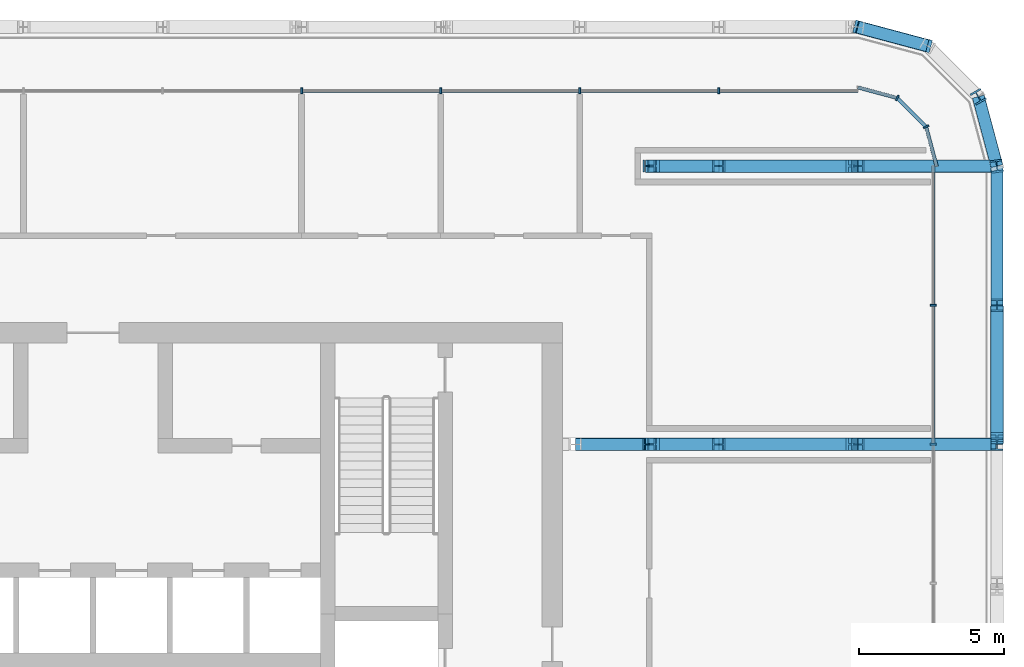
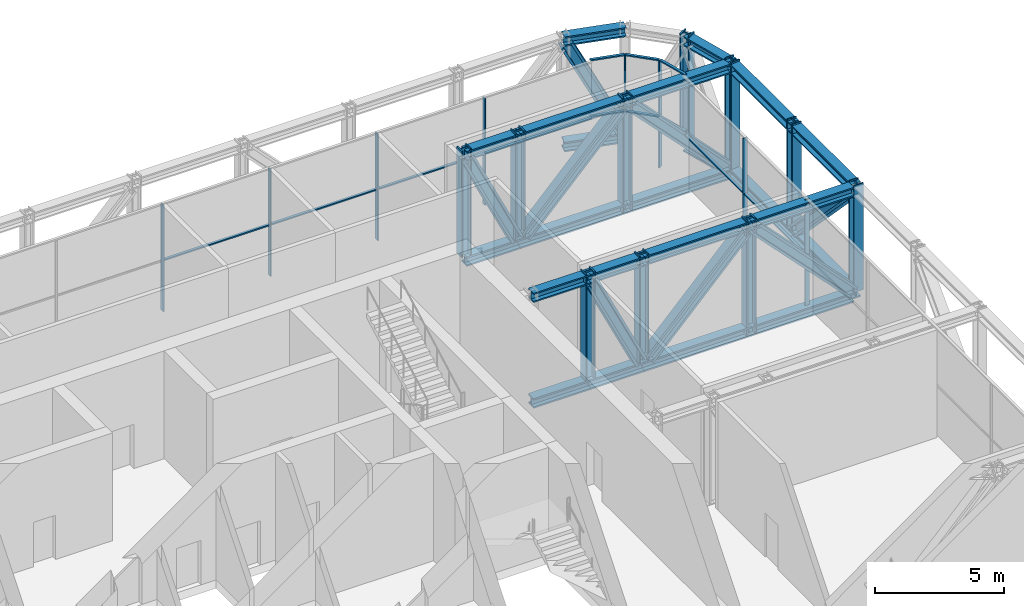
# One storey, part 16 of 30: 60 members, 3 elements without a shape of their own.
"""IFC4 building model written with IfcOpenShell, lengths in metres."""

from ifc_helpers import new_model, si_unit, direction, frame, origin, origin_2d, place, context, subcontext, project, spatial, rectangle, i_section, extrude, material, layer, layer_set, material_profile, profile_set, type_object, element, aggregate, save


model = new_model("IFC4")

# Units and contexts
model_context = context("Model", 3, precision=1e-05, world=origin(), true_north=direction((0.0, 1.0)))
body_context = subcontext(model_context, "Body", "Model", "MODEL_VIEW")
ifc_project = project(units=[si_unit("LENGTHUNIT", "METRE"), si_unit("AREAUNIT", "SQUARE_METRE"), si_unit("VOLUMEUNIT", "CUBIC_METRE"), si_unit("PLANEANGLEUNIT", "RADIAN"), si_unit("MASSUNIT", "GRAM", prefix="KILO")], contexts=[model_context])

# Site, building, storey
site_placement = place(None, origin())
site = spatial("IfcSite", under=ifc_project, at=site_placement, CompositionType="ELEMENT")
building_placement = place(site_placement, origin())
building = spatial("IfcBuilding", under=site, at=building_placement, Name="Madar Terraces", CompositionType="ELEMENT")
storey_placement = place(building_placement, frame((0.0, 0.0, 173.5)))
storey = spatial("IfcBuildingStorey", under=building, at=storey_placement, Name="L45", CompositionType="ELEMENT", Elevation=173.5)

# Members
ifc_material_1 = material(Name="Steel ASTM A913 Grade 65", Category="steel")
ifc_material_profile_1 = material_profile(ifc_material_1, i_section(OverallWidth=0.421630859375, OverallDepth=0.46484375, WebThickness=0.044921875, FlangeThickness=0.072509765625, at=origin_2d()), Name="W14x398")
ifc_profile_set_1 = profile_set([ifc_material_profile_1], Name="Steel ASTM A913 Grade 65")
member_type_1 = type_object("IfcMemberType", Name="BC6 W14x398", PredefinedType="CHORD", material=ifc_profile_set_1)
member_1_placement = place(storey_placement, frame((62.39990234375, 33.60009765625, -0.1875), z_axis=(0.0, 1.0, 0.0), x_axis=(-1.0, 0.0, 0.0)))
element("IfcMember", 1, at=member_1_placement, inside=storey, type_object=member_type_1, Name="Exoskeleton truss ring bottom chord BC6", PredefinedType="CHORD", context=body_context, shape_type="SweptSolid", body=[
    extrude(i_section(OverallWidth=0.421630859375, OverallDepth=0.46484375, WebThickness=0.044921875, FlangeThickness=0.072509765625, at=origin_2d()), origin(), (0.0, 0.0, 1.0), 4.7998046875),
])
member_2_placement = place(storey_placement, frame((62.39990234375, 38.39990234375, -0.1875), z_axis=(0.0, 1.0, 0.0), x_axis=(-1.0, 0.0, 0.0)))
element("IfcMember", 2, at=member_2_placement, inside=storey, type_object=member_type_1, Name="Exoskeleton truss ring bottom chord BC6", PredefinedType="CHORD", context=body_context, shape_type="SweptSolid", body=[
    extrude(i_section(OverallWidth=0.421630859375, OverallDepth=0.46484375, WebThickness=0.044921875, FlangeThickness=0.072509765625, at=origin_2d()), origin(), (0.0, 0.0, 1.0), 4.800048828125),
])
member_3_placement = place(storey_placement, frame((62.39990234375, 43.199951171875, -0.1875), z_axis=(-0.258799930484, 0.965930947833, 0.0), x_axis=(-0.965930947833, -0.258799930484, 0.0)))
element("IfcMember", 3, at=member_3_placement, inside=storey, type_object=member_type_1, Name="Exoskeleton truss ring bottom chord BC6", PredefinedType="CHORD", context=body_context, shape_type="SweptSolid", body=[
    extrude(i_section(OverallWidth=0.421630859375, OverallDepth=0.46484375, WebThickness=0.044921875, FlangeThickness=0.072509765625, at=origin_2d()), origin(), (0.0, 0.0, 1.0), 2.48486328125),
])
member_4_placement = place(storey_placement, frame((60.0, 47.35693359375, -0.1875), z_axis=(-0.965924366126, 0.258824494443, 0.0), x_axis=(-0.258824494443, -0.965924366126, 0.0)))
element("IfcMember", 4, at=member_4_placement, inside=storey, type_object=member_type_1, Name="Exoskeleton truss ring bottom chord BC6", PredefinedType="CHORD", context=body_context, shape_type="SweptSolid", body=[
    extrude(i_section(OverallWidth=0.421630859375, OverallDepth=0.46484375, WebThickness=0.044921875, FlangeThickness=0.072509765625, at=origin_2d()), origin(), (0.0, 0.0, 1.0), 2.484619140625),
])
member_5_placement = place(storey_placement, frame((62.189208984375, 33.60009765625, -0.1875), z_axis=(-1.0, 0.0, 0.0), x_axis=(0.0, -1.0, 0.0)))
element("IfcMember", 5, at=member_5_placement, inside=storey, type_object=member_type_1, Name="Exoskeleton truss cross E33.6 bottom chord BC6", PredefinedType="CHORD", context=body_context, shape_type="SweptSolid", body=[
    extrude(i_section(OverallWidth=0.421630859375, OverallDepth=0.46484375, WebThickness=0.044921875, FlangeThickness=0.072509765625, at=origin_2d()), origin(), (0.0, 0.0, 1.0), 4.589111328125),
])
member_6_placement = place(storey_placement, frame((57.60009765625, 33.60009765625, -0.1875), z_axis=(-1.0, 0.0, 0.0), x_axis=(0.0, -1.0, 0.0)))
element("IfcMember", 6, at=member_6_placement, inside=storey, type_object=member_type_1, Name="Exoskeleton truss cross E33.6 bottom chord BC6", PredefinedType="CHORD", context=body_context, shape_type="SweptSolid", body=[
    extrude(i_section(OverallWidth=0.421630859375, OverallDepth=0.46484375, WebThickness=0.044921875, FlangeThickness=0.072509765625, at=origin_2d()), origin(), (0.0, 0.0, 1.0), 4.800048828125),
])
member_7_placement = place(storey_placement, frame((52.800048828125, 33.60009765625, -0.1875), z_axis=(-1.0, 0.0, 0.0), x_axis=(0.0, -1.0, 0.0)))
element("IfcMember", 7, at=member_7_placement, inside=storey, type_object=member_type_1, Name="Exoskeleton truss cross E33.6 bottom chord BC6", PredefinedType="CHORD", context=body_context, shape_type="SweptSolid", body=[
    extrude(i_section(OverallWidth=0.421630859375, OverallDepth=0.46484375, WebThickness=0.044921875, FlangeThickness=0.072509765625, at=origin_2d()), origin(), (0.0, 0.0, 1.0), 2.400146484375),
])
member_8_placement = place(storey_placement, frame((50.39990234375, 33.60009765625, -0.1875), z_axis=(-1.0, 0.0, 0.0), x_axis=(0.0, -1.0, 0.0)))
element("IfcMember", 8, at=member_8_placement, inside=storey, type_object=member_type_1, Name="Exoskeleton truss cross E33.6 bottom chord BC6", PredefinedType="CHORD", context=body_context, shape_type="SweptSolid", body=[
    extrude(i_section(OverallWidth=0.421630859375, OverallDepth=0.46484375, WebThickness=0.044921875, FlangeThickness=0.072509765625, at=origin_2d()), origin(), (0.0, 0.0, 1.0), 2.5498046875),
])
member_9_placement = place(storey_placement, frame((62.189208984375, 43.199951171875, -0.1875), z_axis=(-1.0, 0.0, 0.0), x_axis=(0.0, -1.0, 0.0)))
element("IfcMember", 9, at=member_9_placement, inside=storey, type_object=member_type_1, Name="Exoskeleton truss cross E43.2 bottom chord BC6", PredefinedType="CHORD", context=body_context, shape_type="SweptSolid", body=[
    extrude(i_section(OverallWidth=0.421630859375, OverallDepth=0.46484375, WebThickness=0.044921875, FlangeThickness=0.072509765625, at=origin_2d()), origin(), (0.0, 0.0, 1.0), 4.589111328125),
])
member_10_placement = place(storey_placement, frame((57.60009765625, 43.199951171875, -0.1875), z_axis=(-1.0, 0.0, 0.0), x_axis=(0.0, -1.0, 0.0)))
element("IfcMember", 10, at=member_10_placement, inside=storey, type_object=member_type_1, Name="Exoskeleton truss cross E43.2 bottom chord BC6", PredefinedType="CHORD", context=body_context, shape_type="SweptSolid", body=[
    extrude(i_section(OverallWidth=0.421630859375, OverallDepth=0.46484375, WebThickness=0.044921875, FlangeThickness=0.072509765625, at=origin_2d()), origin(), (0.0, 0.0, 1.0), 4.800048828125),
])
member_11_placement = place(storey_placement, frame((52.800048828125, 43.199951171875, -0.1875), z_axis=(-1.0, 0.0, 0.0), x_axis=(0.0, -1.0, 0.0)))
element("IfcMember", 11, at=member_11_placement, inside=storey, type_object=member_type_1, Name="Exoskeleton truss cross E43.2 bottom chord BC6", PredefinedType="CHORD", context=body_context, shape_type="SweptSolid", body=[
    extrude(i_section(OverallWidth=0.421630859375, OverallDepth=0.46484375, WebThickness=0.044921875, FlangeThickness=0.072509765625, at=origin_2d()), origin(), (0.0, 0.0, 1.0), 2.400146484375),
])

# Curtain wall, members
ifc_material_2 = material(Name="Glass, ceramic frit dark grey, with black aluminium frame", Category="aluminium")
ifc_layer = layer(ifc_material_2, 0.199951171875)
ifc_layer_set = layer_set([ifc_layer], Name="Facade curtain wall, tall glazing")
curtain_wall_type = type_object("IfcCurtainWallType", Name="Facade curtain wall, tall glazing", PredefinedType="NOTDEFINED", material=ifc_layer_set)
curtain_wall_1_placement = place(storey_placement, origin())
curtain_wall_1 = element("IfcCurtainWall", 12, at=curtain_wall_1_placement, inside=storey, type_object=curtain_wall_type, Name="Outer skin curtain wall east bay 1", PredefinedType="NOTDEFINED")
ifc_material_3 = material(Name="Aluminium, black anodised", Category="aluminium")
ifc_material_profile_2 = material_profile(ifc_material_3, rectangle(XDim=0.199951171875, YDim=0.06005859375, at=origin_2d()), Name="Facade mullion 60x200")
ifc_profile_set_2 = profile_set([ifc_material_profile_2], Name="Aluminium, black anodised")
member_type_2 = type_object("IfcMemberType", Name="Facade mullion 60x200", PredefinedType="MULLION", material=ifc_profile_set_2)
member_12_placement = place(storey_placement, frame((60.199951171875, 33.60009765625, 0.0), z_axis=(0.0, 0.0, 1.0), x_axis=(-1.0, 0.0, 0.0)))
member_12 = element("IfcMember", 13, at=member_12_placement, type_object=member_type_2, Name="Mullion 6", PredefinedType="MULLION", context=body_context, shape_type="SweptSolid", body=[
    extrude(rectangle(XDim=0.199951171875, YDim=0.06005859375, at=origin_2d()), origin(), (0.0, 0.0, 1.0), 5.0400390625),
])
member_13_placement = place(storey_placement, frame((60.199951171875, 38.39990234375, 0.0), z_axis=(0.0, 0.0, 1.0), x_axis=(-1.0, 0.0, 0.0)))
member_13 = element("IfcMember", 14, at=member_13_placement, type_object=member_type_2, Name="Mullion 7", PredefinedType="MULLION", context=body_context, shape_type="SweptSolid", body=[
    extrude(rectangle(XDim=0.199951171875, YDim=0.06005859375, at=origin_2d()), origin(), (0.0, 0.0, 1.0), 5.0400390625),
])

curtain_wall_2_placement = place(storey_placement, origin())
curtain_wall_2 = element("IfcCurtainWall", 15, at=curtain_wall_2_placement, inside=storey, type_object=curtain_wall_type, Name="Outer skin curtain wall north bay 1", PredefinedType="NOTDEFINED")
member_14_placement = place(storey_placement, frame((52.800048828125, 45.800048828125, 0.0), z_axis=(0.0, 0.0, 1.0), x_axis=(0.0, -1.0, 0.0)))
member_14 = element("IfcMember", 16, at=member_14_placement, type_object=member_type_2, Name="Mullion 1", PredefinedType="MULLION", context=body_context, shape_type="SweptSolid", body=[
    extrude(rectangle(XDim=0.199951171875, YDim=0.06005859375, at=origin_2d()), origin(), (0.0, 0.0, 1.0), 5.0400390625),
])
member_15_placement = place(storey_placement, frame((48.0, 45.800048828125, 0.0), z_axis=(0.0, 0.0, 1.0), x_axis=(0.0, -1.0, 0.0)))
member_15 = element("IfcMember", 17, at=member_15_placement, type_object=member_type_2, Name="Mullion 2", PredefinedType="MULLION", context=body_context, shape_type="SweptSolid", body=[
    extrude(rectangle(XDim=0.199951171875, YDim=0.06005859375, at=origin_2d()), origin(), (0.0, 0.0, 1.0), 5.0400390625),
])
member_16_placement = place(storey_placement, frame((43.199951171875, 45.800048828125, 0.0), z_axis=(0.0, 0.0, 1.0), x_axis=(0.0, -1.0, 0.0)))
member_16 = element("IfcMember", 18, at=member_16_placement, type_object=member_type_2, Name="Mullion 3", PredefinedType="MULLION", context=body_context, shape_type="SweptSolid", body=[
    extrude(rectangle(XDim=0.199951171875, YDim=0.06005859375, at=origin_2d()), origin(), (0.0, 0.0, 1.0), 5.0400390625),
])
member_17_placement = place(storey_placement, frame((38.39990234375, 45.800048828125, 0.0), z_axis=(0.0, 0.0, 1.0), x_axis=(0.0, -1.0, 0.0)))
member_17 = element("IfcMember", 19, at=member_17_placement, type_object=member_type_2, Name="Mullion 4", PredefinedType="MULLION", context=body_context, shape_type="SweptSolid", body=[
    extrude(rectangle(XDim=0.199951171875, YDim=0.06005859375, at=origin_2d()), origin(), (0.0, 0.0, 1.0), 5.0400390625),
])

curtain_wall_3_placement = place(storey_placement, origin())
curtain_wall_3 = element("IfcCurtainWall", 20, at=curtain_wall_3_placement, inside=storey, type_object=curtain_wall_type, Name="Outer skin curtain wall north-east corner", PredefinedType="NOTDEFINED")
member_18_placement = place(storey_placement, frame((59.95556640625, 44.56005859375, 0.0), z_axis=(0.0, 0.0, 1.0), x_axis=(-0.866025386925, -0.500000029202, 0.0)))
member_18 = element("IfcMember", 21, at=member_18_placement, type_object=member_type_2, Name="Mullion 1", PredefinedType="MULLION", context=body_context, shape_type="SweptSolid", body=[
    extrude(rectangle(XDim=0.199951171875, YDim=0.06005859375, at=origin_2d()), origin(), (0.0, 0.0, 1.0), 5.0400390625),
])
member_19_placement = place(storey_placement, frame((58.9599609375, 45.5556640625, 0.0), z_axis=(0.0, 0.0, 1.0), x_axis=(-0.500000029202, -0.866025386925, 0.0)))
member_19 = element("IfcMember", 22, at=member_19_placement, type_object=member_type_2, Name="Mullion 2", PredefinedType="MULLION", context=body_context, shape_type="SweptSolid", body=[
    extrude(rectangle(XDim=0.199951171875, YDim=0.06005859375, at=origin_2d()), origin(), (0.0, 0.0, 1.0), 5.0400390625),
])

# Member
ifc_material_4 = material(Name="Aluminium, black anodised", Category="aluminium")
ifc_material_profile_3 = material_profile(ifc_material_4, rectangle(XDim=0.1201171875, YDim=0.06005859375, at=origin_2d()), Name="Facade transom 60x120")
ifc_profile_set_3 = profile_set([ifc_material_profile_3], Name="Aluminium, black anodised")
member_type_3 = type_object("IfcMemberType", Name="Facade transom 60x120", PredefinedType="USERDEFINED", material=ifc_profile_set_3)
member_20_placement = place(storey_placement, frame((60.199951171875, 33.6298828125, 2.39990234375), z_axis=(0.0, 1.0, 0.0), x_axis=(-1.0, 0.0, 0.0)))
member_20 = element("IfcMember", 23, at=member_20_placement, type_object=member_type_3, Name="Transom 8", ObjectType="TRANSOM", PredefinedType="USERDEFINED", context=body_context, shape_type="SweptSolid", body=[
    extrude(rectangle(XDim=0.1201171875, YDim=0.06005859375, at=origin_2d()), origin(), (0.0, 0.0, 1.0), 4.740234375),
])

member_21_placement = place(storey_placement, frame((60.199951171875, 38.429931640625, 2.39990234375), z_axis=(0.0, 1.0, 0.0), x_axis=(-1.0, 0.0, 0.0)))
member_21 = element("IfcMember", 24, at=member_21_placement, type_object=member_type_3, Name="Transom 9", ObjectType="TRANSOM", PredefinedType="USERDEFINED", context=body_context, shape_type="SweptSolid", body=[
    extrude(rectangle(XDim=0.1201171875, YDim=0.06005859375, at=origin_2d()), origin(), (0.0, 0.0, 1.0), 4.77001953125),
])

aggregate(curtain_wall_1, [member_12, member_13, member_20, member_21])

member_22_placement = place(storey_placement, frame((57.60009765625, 45.800048828125, 2.39990234375), z_axis=(-1.0, 0.0, 0.0), x_axis=(0.0, -1.0, 0.0)))
member_22 = element("IfcMember", 25, at=member_22_placement, type_object=member_type_3, Name="Transom 2", ObjectType="TRANSOM", PredefinedType="USERDEFINED", context=body_context, shape_type="SweptSolid", body=[
    extrude(rectangle(XDim=0.1201171875, YDim=0.06005859375, at=origin_2d()), origin(), (0.0, 0.0, 1.0), 4.77001953125),
])

member_23_placement = place(storey_placement, frame((52.77001953125, 45.800048828125, 2.39990234375), z_axis=(-1.0, 0.0, 0.0), x_axis=(0.0, -1.0, 0.0)))
member_23 = element("IfcMember", 26, at=member_23_placement, type_object=member_type_3, Name="Transom 3", ObjectType="TRANSOM", PredefinedType="USERDEFINED", context=body_context, shape_type="SweptSolid", body=[
    extrude(rectangle(XDim=0.1201171875, YDim=0.06005859375, at=origin_2d()), origin(), (0.0, 0.0, 1.0), 4.739990234375),
])

member_24_placement = place(storey_placement, frame((47.969970703125, 45.800048828125, 2.39990234375), z_axis=(-1.0, 0.0, 0.0), x_axis=(0.0, -1.0, 0.0)))
member_24 = element("IfcMember", 27, at=member_24_placement, type_object=member_type_3, Name="Transom 4", ObjectType="TRANSOM", PredefinedType="USERDEFINED", context=body_context, shape_type="SweptSolid", body=[
    extrude(rectangle(XDim=0.1201171875, YDim=0.06005859375, at=origin_2d()), origin(), (0.0, 0.0, 1.0), 4.739990234375),
])

member_25_placement = place(storey_placement, frame((43.169921875, 45.800048828125, 2.39990234375), z_axis=(-1.0, 0.0, 0.0), x_axis=(0.0, -1.0, 0.0)))
member_25 = element("IfcMember", 28, at=member_25_placement, type_object=member_type_3, Name="Transom 5", ObjectType="TRANSOM", PredefinedType="USERDEFINED", context=body_context, shape_type="SweptSolid", body=[
    extrude(rectangle(XDim=0.1201171875, YDim=0.06005859375, at=origin_2d()), origin(), (0.0, 0.0, 1.0), 4.739990234375),
])

aggregate(curtain_wall_2, [member_14, member_15, member_16, member_17, member_22, member_23, member_24, member_25])

member_26_placement = place(storey_placement, frame((60.320068359375, 43.199951171875, 5.070068359375), z_axis=(-0.258842352791, 0.965919580711, 0.0), x_axis=(-0.965919580711, -0.258842352791, 0.0)))
member_26 = element("IfcMember", 29, at=member_26_placement, type_object=member_type_3, Name="Transom 1", ObjectType="TRANSOM", PredefinedType="USERDEFINED", context=body_context, shape_type="SweptSolid", body=[
    extrude(rectangle(XDim=0.1201171875, YDim=0.06005859375, at=origin_2d()), origin(), (0.0, 0.0, 1.0), 1.3779296875),
])

member_27_placement = place(storey_placement, frame((60.320068359375, 43.199951171875, 2.39990234375), z_axis=(-0.258842352791, 0.965919580711, 0.0), x_axis=(-0.965919580711, -0.258842352791, 0.0)))
member_27 = element("IfcMember", 30, at=member_27_placement, type_object=member_type_3, Name="Transom 2", ObjectType="TRANSOM", PredefinedType="USERDEFINED", context=body_context, shape_type="SweptSolid", body=[
    extrude(rectangle(XDim=0.1201171875, YDim=0.06005859375, at=origin_2d()), origin(), (0.0, 0.0, 1.0), 1.3779296875),
])

member_28_placement = place(storey_placement, frame((59.934326171875, 44.581298828125, 5.070068359375), z_axis=(-0.707106781187, 0.707106781187, 0.0), x_axis=(-0.707106781187, -0.707106781187, 0.0)))
member_28 = element("IfcMember", 31, at=member_28_placement, type_object=member_type_3, Name="Transom 3", ObjectType="TRANSOM", PredefinedType="USERDEFINED", context=body_context, shape_type="SweptSolid", body=[
    extrude(rectangle(XDim=0.1201171875, YDim=0.06005859375, at=origin_2d()), origin(), (0.0, 0.0, 1.0), 1.347900390625),
])

member_29_placement = place(storey_placement, frame((59.934326171875, 44.581298828125, 2.39990234375), z_axis=(-0.707106781187, 0.707106781187, 0.0), x_axis=(-0.707106781187, -0.707106781187, 0.0)))
member_29 = element("IfcMember", 32, at=member_29_placement, type_object=member_type_3, Name="Transom 4", ObjectType="TRANSOM", PredefinedType="USERDEFINED", context=body_context, shape_type="SweptSolid", body=[
    extrude(rectangle(XDim=0.1201171875, YDim=0.06005859375, at=origin_2d()), origin(), (0.0, 0.0, 1.0), 1.347900390625),
])

member_30_placement = place(storey_placement, frame((58.930908203125, 45.563232421875, 5.070068359375), z_axis=(-0.965907707525, 0.258886655787, 0.0), x_axis=(-0.258886655787, -0.965907707525, 0.0)))
member_30 = element("IfcMember", 33, at=member_30_placement, type_object=member_type_3, Name="Transom 5", ObjectType="TRANSOM", PredefinedType="USERDEFINED", context=body_context, shape_type="SweptSolid", body=[
    extrude(rectangle(XDim=0.1201171875, YDim=0.06005859375, at=origin_2d()), origin(), (0.0, 0.0, 1.0), 1.377685546875),
])

member_31_placement = place(storey_placement, frame((58.930908203125, 45.563232421875, 2.39990234375), z_axis=(-0.965907707525, 0.258886655787, 0.0), x_axis=(-0.258886655787, -0.965907707525, 0.0)))
member_31 = element("IfcMember", 34, at=member_31_placement, type_object=member_type_3, Name="Transom 6", ObjectType="TRANSOM", PredefinedType="USERDEFINED", context=body_context, shape_type="SweptSolid", body=[
    extrude(rectangle(XDim=0.1201171875, YDim=0.06005859375, at=origin_2d()), origin(), (0.0, 0.0, 1.0), 1.377685546875),
])

aggregate(curtain_wall_3, [member_18, member_26, member_27, member_19, member_28, member_29, member_30, member_31])

# Members
ifc_material_5 = material(Name="Steel ASTM A913 Grade 65", Category="steel")
ifc_material_profile_4 = material_profile(ifc_material_5, i_section(OverallWidth=0.41650390625, OverallDepth=0.444580078125, WebThickness=0.0390625, FlangeThickness=0.062744140625, at=origin_2d()), Name="W14x342")
ifc_profile_set_4 = profile_set([ifc_material_profile_4], Name="Steel ASTM A913 Grade 65")
member_type_4 = type_object("IfcMemberType", Name="TC6 W14x342", PredefinedType="CHORD", material=ifc_profile_set_4)
member_32_placement = place(storey_placement, frame((62.39990234375, 33.60009765625, 4.807861328125), z_axis=(0.0, 1.0, 0.0), x_axis=(-1.0, 0.0, 0.0)))
element("IfcMember", 35, at=member_32_placement, inside=storey, type_object=member_type_4, Name="Exoskeleton truss ring top chord TC6", PredefinedType="CHORD", context=body_context, shape_type="SweptSolid", body=[
    extrude(i_section(OverallWidth=0.41650390625, OverallDepth=0.444580078125, WebThickness=0.0390625, FlangeThickness=0.062744140625, at=origin_2d()), origin(), (0.0, 0.0, 1.0), 4.7998046875),
])
member_33_placement = place(storey_placement, frame((62.39990234375, 38.39990234375, 4.807861328125), z_axis=(0.0, 1.0, 0.0), x_axis=(-1.0, 0.0, 0.0)))
element("IfcMember", 36, at=member_33_placement, inside=storey, type_object=member_type_4, Name="Exoskeleton truss ring top chord TC6", PredefinedType="CHORD", context=body_context, shape_type="SweptSolid", body=[
    extrude(i_section(OverallWidth=0.41650390625, OverallDepth=0.444580078125, WebThickness=0.0390625, FlangeThickness=0.062744140625, at=origin_2d()), origin(), (0.0, 0.0, 1.0), 4.800048828125),
])
member_34_placement = place(storey_placement, frame((62.39990234375, 43.199951171875, 4.807861328125), z_axis=(-0.258799930484, 0.965930947833, 0.0), x_axis=(-0.965930947833, -0.258799930484, 0.0)))
element("IfcMember", 37, at=member_34_placement, inside=storey, type_object=member_type_4, Name="Exoskeleton truss ring top chord TC6", PredefinedType="CHORD", context=body_context, shape_type="SweptSolid", body=[
    extrude(i_section(OverallWidth=0.41650390625, OverallDepth=0.444580078125, WebThickness=0.0390625, FlangeThickness=0.062744140625, at=origin_2d()), origin(), (0.0, 0.0, 1.0), 2.48486328125),
])
member_35_placement = place(storey_placement, frame((60.0, 47.35693359375, 4.807861328125), z_axis=(-0.965924366126, 0.258824494443, 0.0), x_axis=(-0.258824494443, -0.965924366126, 0.0)))
element("IfcMember", 38, at=member_35_placement, inside=storey, type_object=member_type_4, Name="Exoskeleton truss ring top chord TC6", PredefinedType="CHORD", context=body_context, shape_type="SweptSolid", body=[
    extrude(i_section(OverallWidth=0.41650390625, OverallDepth=0.444580078125, WebThickness=0.0390625, FlangeThickness=0.062744140625, at=origin_2d()), origin(), (0.0, 0.0, 1.0), 2.484619140625),
])
member_36_placement = place(storey_placement, frame((62.191650390625, 33.60009765625, 4.807861328125), z_axis=(-1.0, 0.0, 0.0), x_axis=(0.0, -1.0, 0.0)))
element("IfcMember", 39, at=member_36_placement, inside=storey, type_object=member_type_4, Name="Exoskeleton truss cross E33.6 top chord TC6", PredefinedType="CHORD", context=body_context, shape_type="SweptSolid", body=[
    extrude(i_section(OverallWidth=0.41650390625, OverallDepth=0.444580078125, WebThickness=0.0390625, FlangeThickness=0.062744140625, at=origin_2d()), origin(), (0.0, 0.0, 1.0), 4.591552734375),
])
member_37_placement = place(storey_placement, frame((57.60009765625, 33.60009765625, 4.807861328125), z_axis=(-1.0, 0.0, 0.0), x_axis=(0.0, -1.0, 0.0)))
element("IfcMember", 40, at=member_37_placement, inside=storey, type_object=member_type_4, Name="Exoskeleton truss cross E33.6 top chord TC6", PredefinedType="CHORD", context=body_context, shape_type="SweptSolid", body=[
    extrude(i_section(OverallWidth=0.41650390625, OverallDepth=0.444580078125, WebThickness=0.0390625, FlangeThickness=0.062744140625, at=origin_2d()), origin(), (0.0, 0.0, 1.0), 4.800048828125),
])
member_38_placement = place(storey_placement, frame((52.800048828125, 33.60009765625, 4.807861328125), z_axis=(-1.0, 0.0, 0.0), x_axis=(0.0, -1.0, 0.0)))
element("IfcMember", 41, at=member_38_placement, inside=storey, type_object=member_type_4, Name="Exoskeleton truss cross E33.6 top chord TC6", PredefinedType="CHORD", context=body_context, shape_type="SweptSolid", body=[
    extrude(i_section(OverallWidth=0.41650390625, OverallDepth=0.444580078125, WebThickness=0.0390625, FlangeThickness=0.062744140625, at=origin_2d()), origin(), (0.0, 0.0, 1.0), 2.400146484375),
])
member_39_placement = place(storey_placement, frame((50.39990234375, 33.60009765625, 4.807861328125), z_axis=(-1.0, 0.0, 0.0), x_axis=(0.0, -1.0, 0.0)))
element("IfcMember", 42, at=member_39_placement, inside=storey, type_object=member_type_4, Name="Exoskeleton truss cross E33.6 top chord TC6", PredefinedType="CHORD", context=body_context, shape_type="SweptSolid", body=[
    extrude(i_section(OverallWidth=0.41650390625, OverallDepth=0.444580078125, WebThickness=0.0390625, FlangeThickness=0.062744140625, at=origin_2d()), origin(), (0.0, 0.0, 1.0), 2.5498046875),
])
member_40_placement = place(storey_placement, frame((62.191650390625, 43.199951171875, 4.807861328125), z_axis=(-1.0, 0.0, 0.0), x_axis=(0.0, -1.0, 0.0)))
element("IfcMember", 43, at=member_40_placement, inside=storey, type_object=member_type_4, Name="Exoskeleton truss cross E43.2 top chord TC6", PredefinedType="CHORD", context=body_context, shape_type="SweptSolid", body=[
    extrude(i_section(OverallWidth=0.41650390625, OverallDepth=0.444580078125, WebThickness=0.0390625, FlangeThickness=0.062744140625, at=origin_2d()), origin(), (0.0, 0.0, 1.0), 4.591552734375),
])
member_41_placement = place(storey_placement, frame((57.60009765625, 43.199951171875, 4.807861328125), z_axis=(-1.0, 0.0, 0.0), x_axis=(0.0, -1.0, 0.0)))
element("IfcMember", 44, at=member_41_placement, inside=storey, type_object=member_type_4, Name="Exoskeleton truss cross E43.2 top chord TC6", PredefinedType="CHORD", context=body_context, shape_type="SweptSolid", body=[
    extrude(i_section(OverallWidth=0.41650390625, OverallDepth=0.444580078125, WebThickness=0.0390625, FlangeThickness=0.062744140625, at=origin_2d()), origin(), (0.0, 0.0, 1.0), 4.800048828125),
])
member_42_placement = place(storey_placement, frame((52.800048828125, 43.199951171875, 4.807861328125), z_axis=(-1.0, 0.0, 0.0), x_axis=(0.0, -1.0, 0.0)))
element("IfcMember", 45, at=member_42_placement, inside=storey, type_object=member_type_4, Name="Exoskeleton truss cross E43.2 top chord TC6", PredefinedType="CHORD", context=body_context, shape_type="SweptSolid", body=[
    extrude(i_section(OverallWidth=0.41650390625, OverallDepth=0.444580078125, WebThickness=0.0390625, FlangeThickness=0.062744140625, at=origin_2d()), origin(), (0.0, 0.0, 1.0), 2.400146484375),
])
ifc_material_6 = material(Name="Steel ASTM A913 Grade 65", Category="steel")
ifc_material_profile_5 = material_profile(ifc_material_6, i_section(OverallWidth=0.44189453125, OverallDepth=0.53076171875, WebThickness=0.06591796875, FlangeThickness=0.105712890625, at=origin_2d()), Name="W14x605")
ifc_profile_set_5 = profile_set([ifc_material_profile_5], Name="Steel ASTM A913 Grade 65")
member_type_5 = type_object("IfcMemberType", Name="TD6 W14x605", PredefinedType="BRACE", material=ifc_profile_set_5)
member_43_placement = place(storey_placement, frame((62.39990234375, 33.8134765625, 4.58544921875), z_axis=(0.0, 0.692893291087, -0.721040142549), x_axis=(-1.0, 0.0, 0.0)))
element("IfcMember", 46, at=member_43_placement, inside=storey, type_object=member_type_5, Name="Exoskeleton truss ring diagonal TD6", PredefinedType="BRACE", context=body_context, shape_type="SweptSolid", body=[
    extrude(i_section(OverallWidth=0.44189453125, OverallDepth=0.53076171875, WebThickness=0.06591796875, FlangeThickness=0.105712890625, at=origin_2d()), origin(), (0.0, 0.0, 1.0), 6.297119140625),
])
member_44_placement = place(storey_placement, frame((59.888427734375, 47.386962890625, 0.044921875), z_axis=(-0.430198006163, 0.115252241132, 0.89534719322), x_axis=(-0.25877931008, -0.96593647238, 0.0)))
element("IfcMember", 47, at=member_44_placement, inside=storey, type_object=member_type_5, Name="Exoskeleton truss ring diagonal TD6", PredefinedType="BRACE", context=body_context, shape_type="SweptSolid", body=[
    extrude(i_section(OverallWidth=0.44189453125, OverallDepth=0.53076171875, WebThickness=0.06591796875, FlangeThickness=0.105712890625, at=origin_2d()), origin(), (0.0, 0.0, 1.0), 5.0712890625),
])
for number, where, z_axis, x_axis, name in (
    (48, (62.1767578125, 33.60009765625, 0.044921875), (-0.692893291087, 0.0, 0.721040142549), (0.0, -1.0, 0.0), "Exoskeleton truss cross E33.6 diagonal TD6"),
    (49, (57.386474609375, 33.60009765625, 4.58544921875), (-0.692873133915, 0.0, -0.721059512314), (0.0, -1.0, 0.0), "Exoskeleton truss cross E33.6 diagonal TD6"),
):
    element("IfcMember", number, at=place(storey_placement, frame(where, z_axis=z_axis, x_axis=x_axis)), inside=storey, type_object=member_type_5, Name=name, PredefinedType="BRACE", context=body_context, shape_type="SweptSolid", body=[
        extrude(i_section(OverallWidth=0.44189453125, OverallDepth=0.53076171875, WebThickness=0.06591796875, FlangeThickness=0.105712890625, at=origin_2d()), origin(), (0.0, 0.0, 1.0), 6.297119140625),
    ])
member_45_placement = place(storey_placement, frame((52.688232421875, 33.60009765625, 0.044921875), z_axis=(-0.433044589969, 0.0, 0.901372499635), x_axis=(0.0, -1.0, 0.0)))
element("IfcMember", 50, at=member_45_placement, inside=storey, type_object=member_type_5, Name="Exoskeleton truss cross E33.6 diagonal TD6", PredefinedType="BRACE", context=body_context, shape_type="SweptSolid", body=[
    extrude(i_section(OverallWidth=0.44189453125, OverallDepth=0.53076171875, WebThickness=0.06591796875, FlangeThickness=0.105712890625, at=origin_2d()), origin(), (0.0, 0.0, 1.0), 5.037353515625),
])
for number, where, z_axis, x_axis, name in (
    (51, (62.1767578125, 43.199951171875, 0.044921875), (-0.692893291087, 0.0, 0.721040142549), (0.0, -1.0, 0.0), "Exoskeleton truss cross E43.2 diagonal TD6"),
    (52, (57.386474609375, 43.199951171875, 4.58544921875), (-0.692873133915, 0.0, -0.721059512314), (0.0, -1.0, 0.0), "Exoskeleton truss cross E43.2 diagonal TD6"),
):
    element("IfcMember", number, at=place(storey_placement, frame(where, z_axis=z_axis, x_axis=x_axis)), inside=storey, type_object=member_type_5, Name=name, PredefinedType="BRACE", context=body_context, shape_type="SweptSolid", body=[
        extrude(i_section(OverallWidth=0.44189453125, OverallDepth=0.53076171875, WebThickness=0.06591796875, FlangeThickness=0.105712890625, at=origin_2d()), origin(), (0.0, 0.0, 1.0), 6.297119140625),
    ])
member_46_placement = place(storey_placement, frame((52.688232421875, 43.199951171875, 0.044921875), z_axis=(-0.433044589969, 0.0, 0.901372499635), x_axis=(0.0, -1.0, 0.0)))
element("IfcMember", 53, at=member_46_placement, inside=storey, type_object=member_type_5, Name="Exoskeleton truss cross E43.2 diagonal TD6", PredefinedType="BRACE", context=body_context, shape_type="SweptSolid", body=[
    extrude(i_section(OverallWidth=0.44189453125, OverallDepth=0.53076171875, WebThickness=0.06591796875, FlangeThickness=0.105712890625, at=origin_2d()), origin(), (0.0, 0.0, 1.0), 5.037353515625),
])
ifc_material_7 = material(Name="Steel ASTM A913 Grade 65", Category="steel")
ifc_material_profile_6 = material_profile(ifc_material_7, i_section(OverallWidth=0.411376953125, OverallDepth=0.434326171875, WebThickness=0.035888671875, FlangeThickness=0.057373046875, at=origin_2d()), Name="W14x311")
ifc_profile_set_6 = profile_set([ifc_material_profile_6], Name="Steel ASTM A913 Grade 65")
member_type_6 = type_object("IfcMemberType", Name="TV6 W14x311", PredefinedType="POST", material=ifc_profile_set_6)
for number, where, z_axis, x_axis, name in (
    (54, (62.39990234375, 33.60009765625, 0.044921875), (0.0, 0.0, 1.0), (-1.0, 0.0, 0.0), "Exoskeleton truss ring post TV6"),
    (55, (62.39990234375, 38.39990234375, 0.044921875), (0.0, 0.0, 1.0), (-1.0, 0.0, 0.0), "Exoskeleton truss ring post TV6"),
    (56, (62.39990234375, 43.199951171875, 0.044921875), (0.0, 0.0, 1.0), (-0.991444863652, -0.130526174916, 0.0), "Exoskeleton truss ring post TV6"),
    (57, (61.7568359375, 45.60009765625, 0.044921875), (0.0, 0.0, 1.0), (-0.866025412511, -0.499999984885, 0.0), "Exoskeleton truss ring post TV6"),
):
    element("IfcMember", number, at=place(storey_placement, frame(where, z_axis=z_axis, x_axis=x_axis)), inside=storey, type_object=member_type_6, Name=name, PredefinedType="POST", context=body_context, shape_type="SweptSolid", body=[
        extrude(i_section(OverallWidth=0.411376953125, OverallDepth=0.434326171875, WebThickness=0.035888671875, FlangeThickness=0.057373046875, at=origin_2d()), origin(), (0.0, 0.0, 1.0), 5.05517578125),
    ])
member_47_placement = place(storey_placement, frame((57.60009765625, 33.60009765625, -0.419921875), z_axis=(0.0, 0.0, 1.0), x_axis=(0.0, 1.0, 0.0)))
element("IfcMember", 58, at=member_47_placement, inside=storey, type_object=member_type_6, Name="Exoskeleton truss cross E33.6 post TV6", PredefinedType="POST", context=body_context, shape_type="SweptSolid", body=[
    extrude(i_section(OverallWidth=0.411376953125, OverallDepth=0.434326171875, WebThickness=0.035888671875, FlangeThickness=0.057373046875, at=origin_2d()), origin(), (0.0, 0.0, 1.0), 5.52001953125),
])
for number, where, z_axis, x_axis, name in (
    (59, (52.800048828125, 33.60009765625, 0.044921875), (0.0, 0.0, 1.0), (0.0, 1.0, 0.0), "Exoskeleton truss cross E33.6 post TV6"),
    (60, (50.39990234375, 33.60009765625, 0.044921875), (0.0, 0.0, 1.0), (0.0, 1.0, 0.0), "Exoskeleton truss cross E33.6 post TV6"),
):
    element("IfcMember", number, at=place(storey_placement, frame(where, z_axis=z_axis, x_axis=x_axis)), inside=storey, type_object=member_type_6, Name=name, PredefinedType="POST", context=body_context, shape_type="SweptSolid", body=[
        extrude(i_section(OverallWidth=0.411376953125, OverallDepth=0.434326171875, WebThickness=0.035888671875, FlangeThickness=0.057373046875, at=origin_2d()), origin(), (0.0, 0.0, 1.0), 5.05517578125),
    ])
member_48_placement = place(storey_placement, frame((57.60009765625, 43.199951171875, -0.419921875), z_axis=(0.0, 0.0, 1.0), x_axis=(0.0, 1.0, 0.0)))
element("IfcMember", 61, at=member_48_placement, inside=storey, type_object=member_type_6, Name="Exoskeleton truss cross E43.2 post TV6", PredefinedType="POST", context=body_context, shape_type="SweptSolid", body=[
    extrude(i_section(OverallWidth=0.411376953125, OverallDepth=0.434326171875, WebThickness=0.035888671875, FlangeThickness=0.057373046875, at=origin_2d()), origin(), (0.0, 0.0, 1.0), 5.52001953125),
])
for number, where, z_axis, x_axis, name in (
    (62, (52.800048828125, 43.199951171875, 0.044921875), (0.0, 0.0, 1.0), (0.0, 1.0, 0.0), "Exoskeleton truss cross E43.2 post TV6"),
    (63, (50.39990234375, 43.199951171875, 0.044921875), (0.0, 0.0, 1.0), (0.0, 1.0, 0.0), "Exoskeleton truss cross E43.2 post TV6"),
):
    element("IfcMember", number, at=place(storey_placement, frame(where, z_axis=z_axis, x_axis=x_axis)), inside=storey, type_object=member_type_6, Name=name, PredefinedType="POST", context=body_context, shape_type="SweptSolid", body=[
        extrude(i_section(OverallWidth=0.411376953125, OverallDepth=0.434326171875, WebThickness=0.035888671875, FlangeThickness=0.057373046875, at=origin_2d()), origin(), (0.0, 0.0, 1.0), 5.05517578125),
    ])

save(model, "model.ifc")
